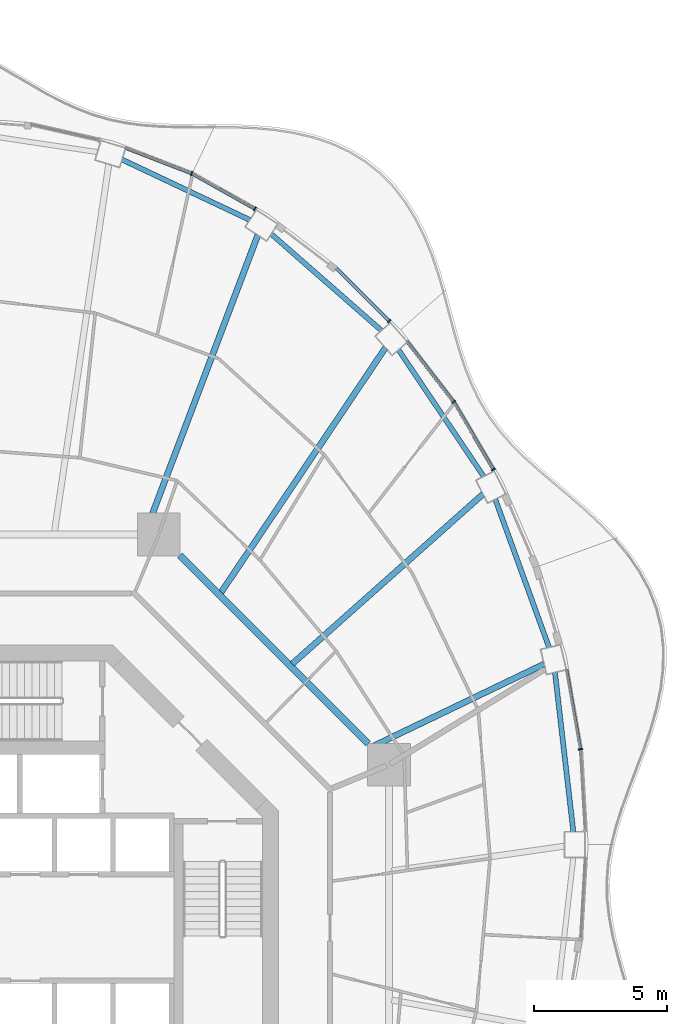
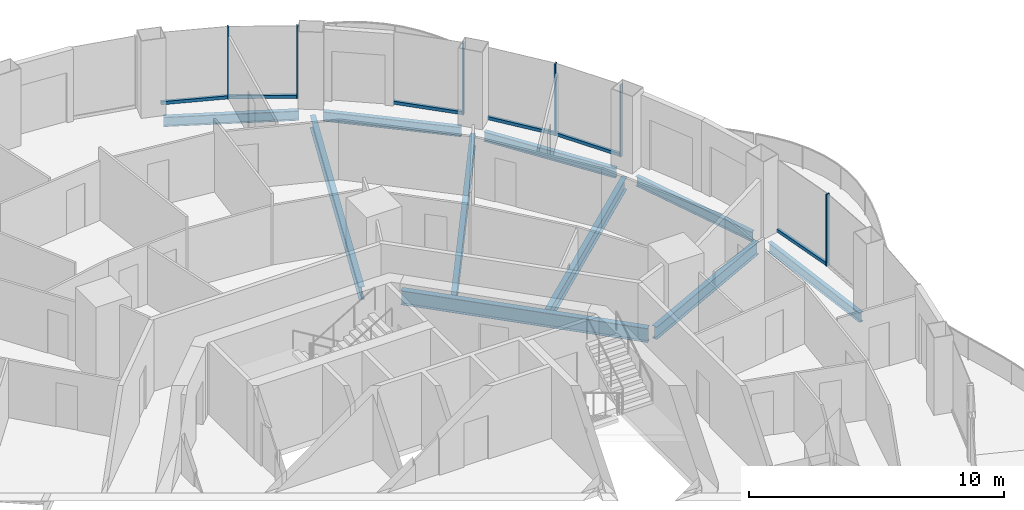
# One storey, part 7 of 18: 12 members, 10 beams, 6 elements without a shape of their own.
"""IFC4 building model written with IfcOpenShell, lengths in metres."""

from ifc_helpers import new_model, si_unit, direction, frame, origin, origin_2d, place, context, subcontext, project, spatial, rectangle, i_section, extrude, material, layer, layer_set, material_profile, profile_set, type_object, element, aggregate, save


model = new_model("IFC4")

# Units and contexts
model_context = context("Model", 3, precision=1e-05, world=origin(), true_north=direction((0.0, 1.0)))
body_context = subcontext(model_context, "Body", "Model", "MODEL_VIEW")
ifc_project = project(units=[si_unit("LENGTHUNIT", "METRE"), si_unit("AREAUNIT", "SQUARE_METRE"), si_unit("VOLUMEUNIT", "CUBIC_METRE"), si_unit("PLANEANGLEUNIT", "RADIAN"), si_unit("MASSUNIT", "GRAM", prefix="KILO")], contexts=[model_context])

# Site, building, storey
site_placement = place(None, origin())
site = spatial("IfcSite", under=ifc_project, at=site_placement, CompositionType="ELEMENT")
building_placement = place(site_placement, origin())
building = spatial("IfcBuilding", under=site, at=building_placement, Name="Nagisa Residences", CompositionType="ELEMENT")
storey_placement = place(building_placement, frame((0.0, 0.0, 230.699951171875)))
storey = spatial("IfcBuildingStorey", under=building, at=storey_placement, Name="L58", CompositionType="ELEMENT", Elevation=230.699951171875)

# Curtain wall, member
ifc_material_1 = material(Name="Concrete-coloured aluminium curtain wall system", Category="concrete")
ifc_layer = layer(ifc_material_1, 0.159912109375)
ifc_layer_set = layer_set([ifc_layer], Name="CW1 CURTAIN WALL")
curtain_wall_type = type_object("IfcCurtainWallType", Name="CW1 CURTAIN WALL", PredefinedType="NOTDEFINED", material=ifc_layer_set)
curtain_wall_1_placement = place(storey_placement, origin())
curtain_wall_1 = element("IfcCurtainWall", 1, at=curtain_wall_1_placement, inside=storey, type_object=curtain_wall_type, Name="cw:CW1:L58:01", PredefinedType="NOTDEFINED")
ifc_material_2 = material(Name="Concrete-coloured aluminium", Category="concrete")
ifc_material_profile_1 = material_profile(ifc_material_2, rectangle(XDim=0.159912109375, YDim=0.06005859375, at=origin_2d()), Name="CW1 MULLION 160x60")
ifc_profile_set_1 = profile_set([ifc_material_profile_1], Name="Concrete-coloured aluminium")
member_type_1 = type_object("IfcMemberType", Name="CW1 MULLION 160x60", PredefinedType="MULLION", material=ifc_profile_set_1)
member_1_placement = place(storey_placement, frame((21.980224609375, 6.70849609375, 0.0), z_axis=(0.0, 0.0, 1.0), x_axis=(-0.985063604377, -0.172190868898, 0.0)))
member_1 = element("IfcMember", 2, at=member_1_placement, type_object=member_type_1, Name="CW1 mullion", PredefinedType="MULLION", context=body_context, shape_type="SweptSolid", body=[
    extrude(rectangle(XDim=0.159912109375, YDim=0.06005859375, at=origin_2d()), origin(), (0.0, 0.0, 1.0), 3.43994140625),
])

curtain_wall_2_placement = place(storey_placement, origin())
curtain_wall_2 = element("IfcCurtainWall", 3, at=curtain_wall_2_placement, inside=storey, type_object=curtain_wall_type, Name="cw:CW1:L58:04", PredefinedType="NOTDEFINED")
member_2_placement = place(storey_placement, frame((18.707763671875, 17.229248046875, 0.0), z_axis=(0.0, 0.0, 1.0), x_axis=(-0.862328898214, -0.506348567002, 0.0)))
member_2 = element("IfcMember", 4, at=member_2_placement, type_object=member_type_1, Name="CW1 mullion", PredefinedType="MULLION", context=body_context, shape_type="SweptSolid", body=[
    extrude(rectangle(XDim=0.159912109375, YDim=0.06005859375, at=origin_2d()), origin(), (0.0, 0.0, 1.0), 3.43994140625),
])

curtain_wall_3_placement = place(storey_placement, origin())
curtain_wall_3 = element("IfcCurtainWall", 5, at=curtain_wall_3_placement, inside=storey, type_object=curtain_wall_type, Name="cw:CW1:L58:05", PredefinedType="NOTDEFINED")
member_3_placement = place(storey_placement, frame((17.21435546875, 19.7666015625, 0.0), z_axis=(0.0, 0.0, 1.0), x_axis=(-0.792070340816, -0.610429828235, 0.0)))
member_3 = element("IfcMember", 6, at=member_3_placement, type_object=member_type_1, Name="CW1 mullion", PredefinedType="MULLION", context=body_context, shape_type="SweptSolid", body=[
    extrude(rectangle(XDim=0.159912109375, YDim=0.06005859375, at=origin_2d()), origin(), (0.0, 0.0, 1.0), 3.43994140625),
])

curtain_wall_4_placement = place(storey_placement, origin())
curtain_wall_4 = element("IfcCurtainWall", 7, at=curtain_wall_4_placement, inside=storey, type_object=curtain_wall_type, Name="cw:CW1:L58:06", PredefinedType="NOTDEFINED")
member_4_placement = place(storey_placement, frame((14.788330078125, 22.802978515625, 0.0), z_axis=(0.0, 0.0, 1.0), x_axis=(-0.706376885714, -0.707835924016, 0.0)))
member_4 = element("IfcMember", 8, at=member_4_placement, type_object=member_type_1, Name="CW1 mullion", PredefinedType="MULLION", context=body_context, shape_type="SweptSolid", body=[
    extrude(rectangle(XDim=0.159912109375, YDim=0.06005859375, at=origin_2d()), origin(), (0.0, 0.0, 1.0), 3.43994140625),
])

curtain_wall_5_placement = place(storey_placement, origin())
curtain_wall_5 = element("IfcCurtainWall", 9, at=curtain_wall_5_placement, inside=storey, type_object=curtain_wall_type, Name="cw:CW1:L58:08", PredefinedType="NOTDEFINED")
member_5_placement = place(storey_placement, frame((9.733642578125, 27.02783203125, 0.0), z_axis=(0.0, 0.0, 1.0), x_axis=(-0.489376918501, -0.872072377523, 0.0)))
member_5 = element("IfcMember", 10, at=member_5_placement, type_object=member_type_1, Name="CW1 mullion", PredefinedType="MULLION", context=body_context, shape_type="SweptSolid", body=[
    extrude(rectangle(XDim=0.159912109375, YDim=0.06005859375, at=origin_2d()), origin(), (0.0, 0.0, 1.0), 3.43994140625),
])

curtain_wall_6_placement = place(storey_placement, origin())
curtain_wall_6 = element("IfcCurtainWall", 11, at=curtain_wall_6_placement, inside=storey, type_object=curtain_wall_type, Name="cw:CW1:L58:09", PredefinedType="NOTDEFINED")
member_6_placement = place(storey_placement, frame((7.3544921875, 28.35888671875, 0.0), z_axis=(0.0, 0.0, 1.0), x_axis=(-0.360327770268, -0.932825759707, 0.0)))
member_6 = element("IfcMember", 12, at=member_6_placement, type_object=member_type_1, Name="CW1 mullion", PredefinedType="MULLION", context=body_context, shape_type="SweptSolid", body=[
    extrude(rectangle(XDim=0.159912109375, YDim=0.06005859375, at=origin_2d()), origin(), (0.0, 0.0, 1.0), 3.43994140625),
])

# Member
ifc_material_3 = material(Name="Concrete-coloured aluminium", Category="concrete")
ifc_material_profile_2 = material_profile(ifc_material_3, rectangle(XDim=0.1201171875, YDim=0.14990234375, at=origin_2d()), Name="CW1 TRANSOM 120x150")
ifc_profile_set_2 = profile_set([ifc_material_profile_2], Name="Concrete-coloured aluminium")
member_type_2 = type_object("IfcMemberType", Name="CW1 TRANSOM 120x150", PredefinedType="USERDEFINED", material=ifc_profile_set_2)
member_7_placement = place(storey_placement, frame((21.9853515625, 6.678955078125, 0.074951171875), z_axis=(-0.172241318156, 0.985054784426, 0.0), x_axis=(-0.985054784426, -0.172241318156, 0.0)))
member_7 = element("IfcMember", 13, at=member_7_placement, type_object=member_type_2, Name="CW1 transom", ObjectType="TRANSOM", PredefinedType="USERDEFINED", context=body_context, shape_type="SweptSolid", body=[
    extrude(rectangle(XDim=0.1201171875, YDim=0.14990234375, at=origin_2d()), origin(), (0.0, 0.0, 1.0), 3.0673828125),
])

aggregate(curtain_wall_1, [member_1, member_7])

member_8_placement = place(storey_placement, frame((18.72314453125, 17.203369140625, 0.074951171875), z_axis=(-0.5063555387, 0.862324804484, 0.0), x_axis=(-0.862324804484, -0.5063555387, 0.0)))
member_8 = element("IfcMember", 14, at=member_8_placement, type_object=member_type_2, Name="CW1 transom", ObjectType="TRANSOM", PredefinedType="USERDEFINED", context=body_context, shape_type="SweptSolid", body=[
    extrude(rectangle(XDim=0.1201171875, YDim=0.14990234375, at=origin_2d()), origin(), (0.0, 0.0, 1.0), 2.95458984375),
])

aggregate(curtain_wall_2, [member_2, member_8])

member_9_placement = place(storey_placement, frame((17.232666015625, 19.742919921875, 0.074951171875), z_axis=(-0.610438565676, 0.792063607001, 0.0), x_axis=(-0.792063607001, -0.610438565676, 0.0)))
member_9 = element("IfcMember", 15, at=member_9_placement, type_object=member_type_2, Name="CW1 transom", ObjectType="TRANSOM", PredefinedType="USERDEFINED", context=body_context, shape_type="SweptSolid", body=[
    extrude(rectangle(XDim=0.1201171875, YDim=0.14990234375, at=origin_2d()), origin(), (0.0, 0.0, 1.0), 2.90087890625),
])

aggregate(curtain_wall_3, [member_3, member_9])

member_10_placement = place(storey_placement, frame((14.8095703125, 22.781982421875, 0.074951171875), z_axis=(-0.707836044127, 0.706376765356, 0.0), x_axis=(-0.706376765356, -0.707836044127, 0.0)))
member_10 = element("IfcMember", 16, at=member_10_placement, type_object=member_type_2, Name="CW1 transom", ObjectType="TRANSOM", PredefinedType="USERDEFINED", context=body_context, shape_type="SweptSolid", body=[
    extrude(rectangle(XDim=0.1201171875, YDim=0.14990234375, at=origin_2d()), origin(), (0.0, 0.0, 1.0), 2.84423828125),
])

aggregate(curtain_wall_4, [member_4, member_10])

member_11_placement = place(storey_placement, frame((9.759765625, 27.012939453125, 0.074951171875), z_axis=(-0.872041873719, 0.489431272479, 0.0), x_axis=(-0.489431272479, -0.872041873719, 0.0)))
member_11 = element("IfcMember", 17, at=member_11_placement, type_object=member_type_2, Name="CW1 transom", ObjectType="TRANSOM", PredefinedType="USERDEFINED", context=body_context, shape_type="SweptSolid", body=[
    extrude(rectangle(XDim=0.1201171875, YDim=0.14990234375, at=origin_2d()), origin(), (0.0, 0.0, 1.0), 2.738037109375),
])

aggregate(curtain_wall_5, [member_5, member_11])

member_12_placement = place(storey_placement, frame((7.38232421875, 28.34814453125, 0.074951171875), z_axis=(-0.932826499224, 0.360325855782, 0.0), x_axis=(-0.360325855782, -0.932826499224, 0.0)))
member_12 = element("IfcMember", 18, at=member_12_placement, type_object=member_type_2, Name="CW1 transom", ObjectType="TRANSOM", PredefinedType="USERDEFINED", context=body_context, shape_type="SweptSolid", body=[
    extrude(rectangle(XDim=0.1201171875, YDim=0.14990234375, at=origin_2d()), origin(), (0.0, 0.0, 1.0), 2.696044921875),
])

aggregate(curtain_wall_6, [member_6, member_12])

# Beams
ifc_material_4 = material(Name="Steel ASTM A572 Gr 50", Category="steel")
ifc_material_profile_3 = material_profile(ifc_material_4, i_section(OverallWidth=0.2529296875, OverallDepth=0.677978515625, WebThickness=0.01171875, FlangeThickness=0.016357421875, at=origin_2d()), Name="W690x125")
ifc_profile_set_3 = profile_set([ifc_material_profile_3], Name="Steel ASTM A572 Gr 50")
beam_type_1 = type_object("IfcBeamType", Name="Inner ring beam W690x125", PredefinedType="BEAM", material=ifc_profile_set_3)
beam_1_placement = place(storey_placement, frame((13.99609375, 6.90869140625, -0.598876953125), z_axis=(-0.707106781187, 0.707106781187, 0.0), x_axis=(-0.707106781187, -0.707106781187, 0.0)))
element("IfcBeam", 19, at=beam_1_placement, inside=storey, type_object=beam_type_1, Name="beam:L58:ib1", PredefinedType="BEAM", context=body_context, shape_type="SweptSolid", body=[
    extrude(i_section(OverallWidth=0.2529296875, OverallDepth=0.677978515625, WebThickness=0.01171875, FlangeThickness=0.016357421875, at=origin_2d()), origin(), (0.0, 0.0, 1.0), 10.023193359375),
])
ifc_material_5 = material(Name="Steel ASTM A572 Gr 50", Category="steel")
ifc_material_profile_4 = material_profile(ifc_material_5, i_section(OverallWidth=0.18994140625, OverallDepth=0.45703125, WebThickness=0.009033203125, FlangeThickness=0.014404296875, at=origin_2d()), Name="W460x74")
ifc_profile_set_4 = profile_set([ifc_material_profile_4], Name="Steel ASTM A572 Gr 50")
beam_type_2 = type_object("IfcBeamType", Name="Perimeter ring beam W460x74", PredefinedType="BEAM", material=ifc_profile_set_4)
beam_2_placement = place(storey_placement, frame((21.714599609375, 3.597900390625, -0.488525390625), z_axis=(-0.114650193512, 0.993405925656, 0.0), x_axis=(-0.993405925656, -0.114650193512, 0.0)))
element("IfcBeam", 20, at=beam_2_placement, inside=storey, type_object=beam_type_2, Name="beam:L58:pb01", PredefinedType="BEAM", context=body_context, shape_type="SweptSolid", body=[
    extrude(i_section(OverallWidth=0.18994140625, OverallDepth=0.45703125, WebThickness=0.009033203125, FlangeThickness=0.014404296875, at=origin_2d()), origin(), (0.0, 0.0, 1.0), 6.0390625),
])
beam_3_placement = place(storey_placement, frame((20.802001953125, 10.53173828125, -0.488525390625), z_axis=(-0.34127712749, 0.939962723863, 0.0), x_axis=(-0.939962723863, -0.34127712749, 0.0)))
element("IfcBeam", 21, at=beam_3_placement, inside=storey, type_object=beam_type_2, Name="beam:L58:pb02", PredefinedType="BEAM", context=body_context, shape_type="SweptSolid", body=[
    extrude(i_section(OverallWidth=0.18994140625, OverallDepth=0.45703125, WebThickness=0.009033203125, FlangeThickness=0.014404296875, at=origin_2d()), origin(), (0.0, 0.0, 1.0), 5.9326171875),
])
beam_4_placement = place(storey_placement, frame((18.34228515625, 16.964111328125, -0.488525390625), z_axis=(-0.558109119402, 0.829767564345, 0.0), x_axis=(-0.829767564345, -0.558109119402, 0.0)))
element("IfcBeam", 22, at=beam_4_placement, inside=storey, type_object=beam_type_2, Name="beam:L58:pb03", PredefinedType="BEAM", context=body_context, shape_type="SweptSolid", body=[
    extrude(i_section(OverallWidth=0.18994140625, OverallDepth=0.45703125, WebThickness=0.009033203125, FlangeThickness=0.014404296875, at=origin_2d()), origin(), (0.0, 0.0, 1.0), 5.74365234375),
])
beam_5_placement = place(storey_placement, frame((14.502197265625, 22.45068359375, -0.488525390625), z_axis=(-0.75242320672, 0.65867998147, 0.0), x_axis=(-0.65867998147, -0.75242320672, 0.0)))
element("IfcBeam", 23, at=beam_5_placement, inside=storey, type_object=beam_type_2, Name="beam:L58:pb04", PredefinedType="BEAM", context=body_context, shape_type="SweptSolid", body=[
    extrude(i_section(OverallWidth=0.18994140625, OverallDepth=0.45703125, WebThickness=0.009033203125, FlangeThickness=0.014404296875, at=origin_2d()), origin(), (0.0, 0.0, 1.0), 5.5185546875),
])
beam_6_placement = place(storey_placement, frame((9.546630859375, 26.6123046875, -0.488525390625), z_axis=(-0.904133867308, 0.42724928319, 0.0), x_axis=(-0.42724928319, -0.904133867308, 0.0)))
element("IfcBeam", 24, at=beam_6_placement, inside=storey, type_object=beam_type_2, Name="beam:L58:pb05", PredefinedType="BEAM", context=body_context, shape_type="SweptSolid", body=[
    extrude(i_section(OverallWidth=0.18994140625, OverallDepth=0.45703125, WebThickness=0.009033203125, FlangeThickness=0.014404296875, at=origin_2d()), origin(), (0.0, 0.0, 1.0), 5.317138671875),
])
ifc_material_6 = material(Name="Steel ASTM A572 Gr 50", Category="steel")
ifc_material_profile_5 = material_profile(ifc_material_6, i_section(OverallWidth=0.22802734375, OverallDepth=0.60302734375, WebThickness=0.010498046875, FlangeThickness=0.014892578125, at=origin_2d()), Name="W610x101")
ifc_profile_set_5 = profile_set([ifc_material_profile_5], Name="Steel ASTM A572 Gr 50")
beam_type_3 = type_object("IfcBeamType", Name="Radial beam W610x101", PredefinedType="BEAM", material=ifc_profile_set_5)
beam_7_placement = place(storey_placement, frame((20.61572265625, 9.90869140625, -0.5615234375), z_axis=(-0.901297388138, -0.433200898124, 0.0), x_axis=(0.433200898124, -0.901297388138, 0.0)))
element("IfcBeam", 25, at=beam_7_placement, inside=storey, type_object=beam_type_3, Name="beam:L58:rb02", PredefinedType="BEAM", context=body_context, shape_type="SweptSolid", body=[
    extrude(i_section(OverallWidth=0.22802734375, OverallDepth=0.60302734375, WebThickness=0.010498046875, FlangeThickness=0.014892578125, at=origin_2d()), origin(), (0.0, 0.0, 1.0), 7.09423828125),
])
beam_8_placement = place(storey_placement, frame((18.318115234375, 16.301025390625, -0.5615234375), z_axis=(-0.747027831774, -0.664792763615, 0.0), x_axis=(0.664792763615, -0.747027831774, 0.0)))
element("IfcBeam", 26, at=beam_8_placement, inside=storey, type_object=beam_type_3, Name="beam:L58:rb03", PredefinedType="BEAM", context=body_context, shape_type="SweptSolid", body=[
    extrude(i_section(OverallWidth=0.22802734375, OverallDepth=0.60302734375, WebThickness=0.010498046875, FlangeThickness=0.014892578125, at=origin_2d()), origin(), (0.0, 0.0, 1.0), 9.607177734375),
])
beam_9_placement = place(storey_placement, frame((14.64697265625, 21.804931640625, -0.5615234375), z_axis=(-0.557606656779, -0.830105304354, 0.0), x_axis=(0.830105304354, -0.557606656779, 0.0)))
element("IfcBeam", 27, at=beam_9_placement, inside=storey, type_object=beam_type_3, Name="beam:L58:rb04", PredefinedType="BEAM", context=body_context, shape_type="SweptSolid", body=[
    extrude(i_section(OverallWidth=0.22802734375, OverallDepth=0.60302734375, WebThickness=0.010498046875, FlangeThickness=0.014892578125, at=origin_2d()), origin(), (0.0, 0.0, 1.0), 11.09423828125),
])
beam_10_placement = place(storey_placement, frame((9.84716796875, 26.04052734375, -0.5615234375), z_axis=(-0.353700839295, -0.935358603041, 0.0), x_axis=(0.935358603041, -0.353700839295, 0.0)))
element("IfcBeam", 28, at=beam_10_placement, inside=storey, type_object=beam_type_3, Name="beam:L58:rb05", PredefinedType="BEAM", context=body_context, shape_type="SweptSolid", body=[
    extrude(i_section(OverallWidth=0.22802734375, OverallDepth=0.60302734375, WebThickness=0.010498046875, FlangeThickness=0.014892578125, at=origin_2d()), origin(), (0.0, 0.0, 1.0), 11.921142578125),
])

save(model, "model.ifc")
